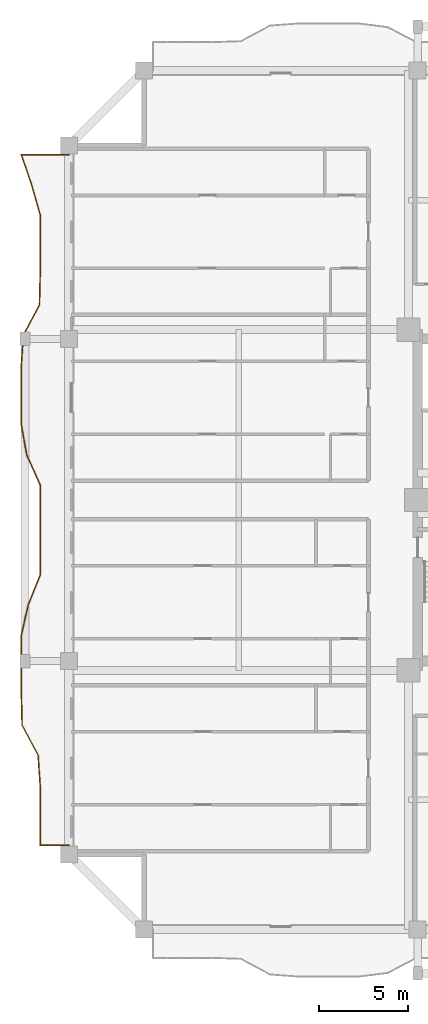
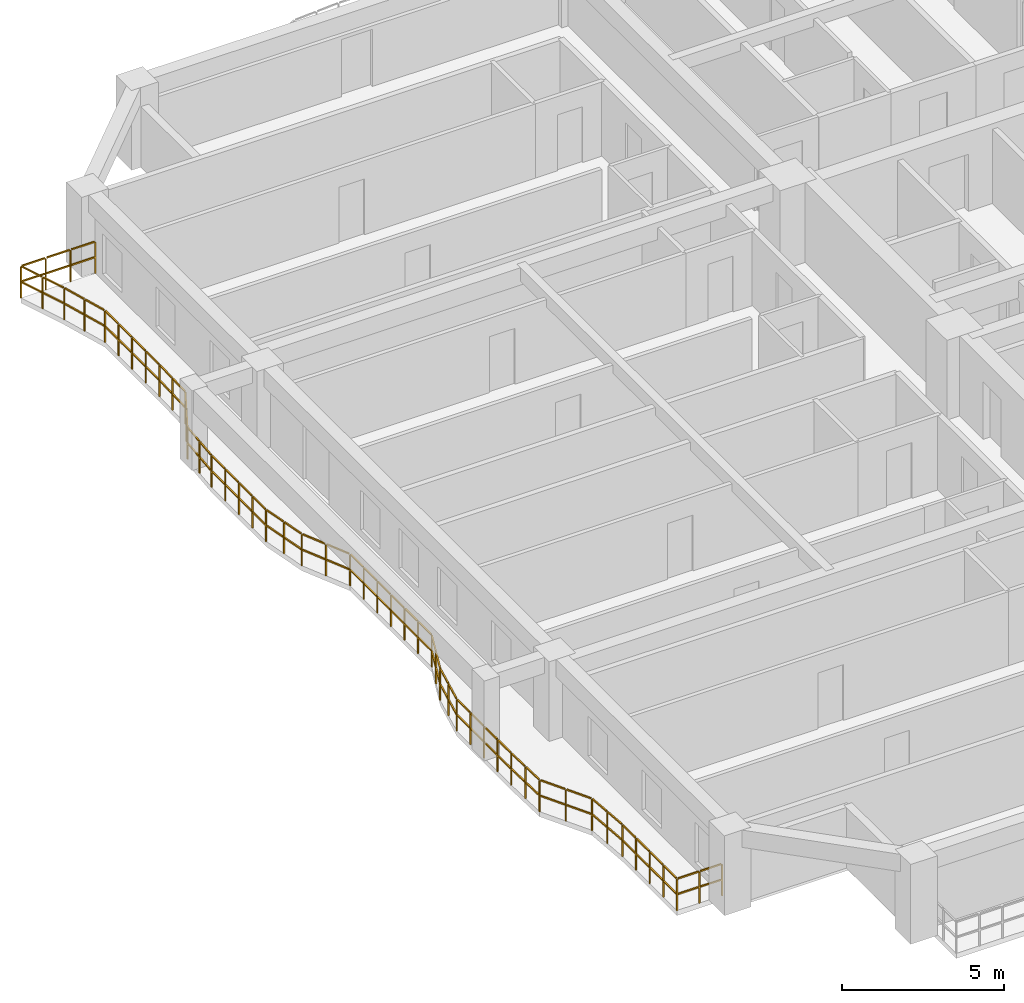
# One storey, part 10 of 13: 1 railing.
"""IFC4 building model written with IfcOpenShell, lengths in metres."""

from ifc_helpers import new_model, si_unit, direction, frame, origin, origin_2d, place, context, subcontext, project, spatial, rectangle, extrude, material, type_object, element, save


model = new_model("IFC4")

# Units and contexts
model_context = context("Model", 3, precision=1e-05, world=origin(), true_north=direction((0.0, 1.0)))
body_context = subcontext(model_context, "Body", "Model", "MODEL_VIEW")
ifc_project = project(units=[si_unit("LENGTHUNIT", "METRE"), si_unit("AREAUNIT", "SQUARE_METRE"), si_unit("VOLUMEUNIT", "CUBIC_METRE"), si_unit("PLANEANGLEUNIT", "RADIAN"), si_unit("MASSUNIT", "GRAM", prefix="KILO")], contexts=[model_context])

# Site, building, storey
site_placement = place(None, origin())
site = spatial("IfcSite", under=ifc_project, at=site_placement, CompositionType="ELEMENT")
building_placement = place(site_placement, origin())
building = spatial("IfcBuilding", under=site, at=building_placement, Name="Saelheon Loggia Tower", CompositionType="ELEMENT")
storey_placement = place(building_placement, frame((0.0, 0.0, 104.85009765625)))
storey = spatial("IfcBuildingStorey", under=building, at=storey_placement, Name="L33", CompositionType="ELEMENT", Elevation=104.85009765625)

# Railing
ifc_material = material(Name="Architectural Precast Concrete and Laminated Glass Guard", Category="concrete")
railing_type = type_object("IfcRailingType", Name="Guard_Loggia_RL_LOG", PredefinedType="BALUSTRADE", material=ifc_material)
railing_placement = place(storey_placement, frame((12.0, 46.300048828125, 0.0)))
element("IfcRailing", 1, at=railing_placement, inside=storey, type_object=railing_type, Name="L33 West Loggia Balustrade", PredefinedType="BALUSTRADE", context=body_context, shape_type="SweptSolid", body=[
    extrude(rectangle(XDim=0.048095703125, YDim=0.048095703125, at=origin_2d()), frame((-0.033203125, 0.0, 1.19580078125), z_axis=(-1.0, 0.0, 0.0), x_axis=(0.0, -1.0, 0.0)), (0.0, 0.0, 1.0), 0.81689453125),
    extrude(rectangle(XDim=0.048095703125, YDim=0.048095703125, at=origin_2d()), frame((-0.033203125, 0.0, 0.60986328125), z_axis=(-1.0, 0.0, 0.0), x_axis=(0.0, -1.0, 0.0)), (0.0, 0.0, 1.0), 0.81689453125),
    extrude(rectangle(XDim=0.048095703125, YDim=0.048095703125, at=origin_2d()), frame((-0.91650390625, 0.0, 1.19580078125), z_axis=(-1.0, 0.0, 0.0), x_axis=(0.0, -1.0, 0.0)), (0.0, 0.0, 1.0), 0.81689453125),
    extrude(rectangle(XDim=0.048095703125, YDim=0.048095703125, at=origin_2d()), frame((-0.91650390625, 0.0, 0.60986328125), z_axis=(-1.0, 0.0, 0.0), x_axis=(0.0, -1.0, 0.0)), (0.0, 0.0, 1.0), 0.81689453125),
    extrude(rectangle(XDim=0.048095703125, YDim=0.048095703125, at=origin_2d()), frame((-1.7998046875, 0.0, 1.19580078125), z_axis=(-1.0, 0.0, 0.0), x_axis=(0.0, -1.0, 0.0)), (0.0, 0.0, 1.0), 0.81689453125),
    extrude(rectangle(XDim=0.048095703125, YDim=0.048095703125, at=origin_2d()), frame((-1.7998046875, 0.0, 0.60986328125), z_axis=(-1.0, 0.0, 0.0), x_axis=(0.0, -1.0, 0.0)), (0.0, 0.0, 1.0), 0.81689453125),
    extrude(rectangle(XDim=0.048095703125, YDim=0.048095703125, at=origin_2d()), frame((-2.63916015625, -0.031494140625, 1.19580078125), z_axis=(0.321347076039, -0.946961486398, 0.0), x_axis=(0.946961486398, 0.321347076039, 0.0)), (0.0, 0.0, 1.0), 0.81982421875),
    extrude(rectangle(XDim=0.048095703125, YDim=0.048095703125, at=origin_2d()), frame((-2.63916015625, -0.031494140625, 0.60986328125), z_axis=(0.321347076039, -0.946961486398, 0.0), x_axis=(0.946961486398, 0.321347076039, 0.0)), (0.0, 0.0, 1.0), 0.81982421875),
    extrude(rectangle(XDim=0.048095703125, YDim=0.048095703125, at=origin_2d()), frame((-2.3544921875, -0.87060546875, 1.19580078125), z_axis=(0.321347076039, -0.946961486398, 0.0), x_axis=(0.946961486398, 0.321347076039, 0.0)), (0.0, 0.0, 1.0), 0.81982421875),
    extrude(rectangle(XDim=0.048095703125, YDim=0.048095703125, at=origin_2d()), frame((-2.3544921875, -0.87060546875, 0.60986328125), z_axis=(0.321347076039, -0.946961486398, 0.0), x_axis=(0.946961486398, 0.321347076039, 0.0)), (0.0, 0.0, 1.0), 0.81982421875),
    extrude(rectangle(XDim=0.048095703125, YDim=0.048095703125, at=origin_2d()), frame((-2.0712890625, -1.71044921875, 1.19580078125), z_axis=(0.275146022747, -0.961402447556, 0.0), x_axis=(0.961402447556, 0.275146022747, 0.0)), (0.0, 0.0, 1.0), 0.80615234375),
    extrude(rectangle(XDim=0.048095703125, YDim=0.048095703125, at=origin_2d()), frame((-2.0712890625, -1.71044921875, 0.60986328125), z_axis=(0.275146022747, -0.961402447556, 0.0), x_axis=(0.961402447556, 0.275146022747, 0.0)), (0.0, 0.0, 1.0), 0.80615234375),
    extrude(rectangle(XDim=0.048095703125, YDim=0.048095703125, at=origin_2d()), frame((-1.8310546875, -2.54931640625, 1.19580078125), z_axis=(0.275146022747, -0.961402447556, 0.0), x_axis=(0.961402447556, 0.275146022747, 0.0)), (0.0, 0.0, 1.0), 0.80615234375),
    extrude(rectangle(XDim=0.048095703125, YDim=0.048095703125, at=origin_2d()), frame((-1.8310546875, -2.54931640625, 0.60986328125), z_axis=(0.275146022747, -0.961402447556, 0.0), x_axis=(0.961402447556, 0.275146022747, 0.0)), (0.0, 0.0, 1.0), 0.80615234375),
    extrude(rectangle(XDim=0.048095703125, YDim=0.048095703125, at=origin_2d()), frame((-1.60009765625, -3.3896484375, 1.19580078125), z_axis=(0.0, -1.0, 0.0), x_axis=(1.0, 0.0, 0.0)), (0.0, 0.0, 1.0), 0.772705078125),
    extrude(rectangle(XDim=0.048095703125, YDim=0.048095703125, at=origin_2d()), frame((-1.60009765625, -3.3896484375, 0.60986328125), z_axis=(0.0, -1.0, 0.0), x_axis=(1.0, 0.0, 0.0)), (0.0, 0.0, 1.0), 0.772705078125),
    extrude(rectangle(XDim=0.048095703125, YDim=0.048095703125, at=origin_2d()), frame((-1.60009765625, -4.22900390625, 1.19580078125), z_axis=(0.0, -1.0, 0.0), x_axis=(1.0, 0.0, 0.0)), (0.0, 0.0, 1.0), 0.772705078125),
    extrude(rectangle(XDim=0.048095703125, YDim=0.048095703125, at=origin_2d()), frame((-1.60009765625, -4.22900390625, 0.60986328125), z_axis=(0.0, -1.0, 0.0), x_axis=(1.0, 0.0, 0.0)), (0.0, 0.0, 1.0), 0.772705078125),
    extrude(rectangle(XDim=0.048095703125, YDim=0.048095703125, at=origin_2d()), frame((-1.60009765625, -5.068115234375, 1.19580078125), z_axis=(0.0, -1.0, 0.0), x_axis=(1.0, 0.0, 0.0)), (0.0, 0.0, 1.0), 0.772705078125),
    extrude(rectangle(XDim=0.048095703125, YDim=0.048095703125, at=origin_2d()), frame((-1.60009765625, -5.068115234375, 0.60986328125), z_axis=(0.0, -1.0, 0.0), x_axis=(1.0, 0.0, 0.0)), (0.0, 0.0, 1.0), 0.772705078125),
    extrude(rectangle(XDim=0.048095703125, YDim=0.048095703125, at=origin_2d()), frame((-1.60009765625, -5.9072265625, 1.19580078125), z_axis=(0.0, -1.0, 0.0), x_axis=(1.0, 0.0, 0.0)), (0.0, 0.0, 1.0), 0.772705078125),
    extrude(rectangle(XDim=0.048095703125, YDim=0.048095703125, at=origin_2d()), frame((-1.60009765625, -5.9072265625, 0.60986328125), z_axis=(0.0, -1.0, 0.0), x_axis=(1.0, 0.0, 0.0)), (0.0, 0.0, 1.0), 0.772705078125),
    extrude(rectangle(XDim=0.048095703125, YDim=0.048095703125, at=origin_2d()), frame((-1.600830078125, -6.746337890625, 1.19580078125), z_axis=(-0.024723310515, -0.999694332242, 0.0), x_axis=(0.999694332242, -0.024723310515, 0.0)), (0.0, 0.0, 1.0), 0.77294921875),
    extrude(rectangle(XDim=0.048095703125, YDim=0.048095703125, at=origin_2d()), frame((-1.600830078125, -6.746337890625, 0.60986328125), z_axis=(-0.024723310515, -0.999694332242, 0.0), x_axis=(0.999694332242, -0.024723310515, 0.0)), (0.0, 0.0, 1.0), 0.77294921875),
    extrude(rectangle(XDim=0.048095703125, YDim=0.048095703125, at=origin_2d()), frame((-1.62158203125, -7.58544921875, 1.19580078125), z_axis=(-0.024723310515, -0.999694332242, 0.0), x_axis=(0.999694332242, -0.024723310515, 0.0)), (0.0, 0.0, 1.0), 0.77294921875),
    extrude(rectangle(XDim=0.048095703125, YDim=0.048095703125, at=origin_2d()), frame((-1.62158203125, -7.58544921875, 0.60986328125), z_axis=(-0.024723310515, -0.999694332242, 0.0), x_axis=(0.999694332242, -0.024723310515, 0.0)), (0.0, 0.0, 1.0), 0.77294921875),
    extrude(rectangle(XDim=0.048095703125, YDim=0.048095703125, at=origin_2d()), frame((-1.6572265625, -8.420654296875, 1.19580078125), z_axis=(-0.470275016821, -0.882519919636, 0.0), x_axis=(0.882519919636, -0.470275016821, 0.0)), (0.0, 0.0, 1.0), 0.88427734375),
    extrude(rectangle(XDim=0.048095703125, YDim=0.048095703125, at=origin_2d()), frame((-1.6572265625, -8.420654296875, 0.60986328125), z_axis=(-0.470275016821, -0.882519919636, 0.0), x_axis=(0.882519919636, -0.470275016821, 0.0)), (0.0, 0.0, 1.0), 0.88427734375),
    extrude(rectangle(XDim=0.048095703125, YDim=0.048095703125, at=origin_2d()), frame((-2.1044921875, -9.259765625, 1.19580078125), z_axis=(-0.470275016821, -0.882519919636, 0.0), x_axis=(0.882519919636, -0.470275016821, 0.0)), (0.0, 0.0, 1.0), 0.88427734375),
    extrude(rectangle(XDim=0.048095703125, YDim=0.048095703125, at=origin_2d()), frame((-2.1044921875, -9.259765625, 0.60986328125), z_axis=(-0.470275016821, -0.882519919636, 0.0), x_axis=(0.882519919636, -0.470275016821, 0.0)), (0.0, 0.0, 1.0), 0.88427734375),
    extrude(rectangle(XDim=0.048095703125, YDim=0.048095703125, at=origin_2d()), frame((-2.5380859375, -10.102783203125, 1.19580078125), z_axis=(-0.06778091462, -0.997700229334, 0.0), x_axis=(0.997700229334, -0.06778091462, 0.0)), (0.0, 0.0, 1.0), 0.774658203125),
    extrude(rectangle(XDim=0.048095703125, YDim=0.048095703125, at=origin_2d()), frame((-2.5380859375, -10.102783203125, 0.60986328125), z_axis=(-0.06778091462, -0.997700229334, 0.0), x_axis=(0.997700229334, -0.06778091462, 0.0)), (0.0, 0.0, 1.0), 0.774658203125),
    extrude(rectangle(XDim=0.048095703125, YDim=0.048095703125, at=origin_2d()), frame((-2.59521484375, -10.94189453125, 1.19580078125), z_axis=(-0.06778091462, -0.997700229334, 0.0), x_axis=(0.997700229334, -0.06778091462, 0.0)), (0.0, 0.0, 1.0), 0.774658203125),
    extrude(rectangle(XDim=0.048095703125, YDim=0.048095703125, at=origin_2d()), frame((-2.59521484375, -10.94189453125, 0.60986328125), z_axis=(-0.06778091462, -0.997700229334, 0.0), x_axis=(0.997700229334, -0.06778091462, 0.0)), (0.0, 0.0, 1.0), 0.774658203125),
    extrude(rectangle(XDim=0.048095703125, YDim=0.048095703125, at=origin_2d()), frame((-2.64990234375, -11.781005859375, 1.19580078125), z_axis=(0.0, -1.0, 0.0), x_axis=(1.0, 0.0, 0.0)), (0.0, 0.0, 1.0), 0.772705078125),
    extrude(rectangle(XDim=0.048095703125, YDim=0.048095703125, at=origin_2d()), frame((-2.64990234375, -11.781005859375, 0.60986328125), z_axis=(0.0, -1.0, 0.0), x_axis=(1.0, 0.0, 0.0)), (0.0, 0.0, 1.0), 0.772705078125),
    extrude(rectangle(XDim=0.048095703125, YDim=0.048095703125, at=origin_2d()), frame((-2.64990234375, -12.620361328125, 1.19580078125), z_axis=(0.0, -1.0, 0.0), x_axis=(1.0, 0.0, 0.0)), (0.0, 0.0, 1.0), 0.772705078125),
    extrude(rectangle(XDim=0.048095703125, YDim=0.048095703125, at=origin_2d()), frame((-2.64990234375, -12.620361328125, 0.60986328125), z_axis=(0.0, -1.0, 0.0), x_axis=(1.0, 0.0, 0.0)), (0.0, 0.0, 1.0), 0.772705078125),
    extrude(rectangle(XDim=0.048095703125, YDim=0.048095703125, at=origin_2d()), frame((-2.64990234375, -13.45947265625, 1.19580078125), z_axis=(0.0, -1.0, 0.0), x_axis=(1.0, 0.0, 0.0)), (0.0, 0.0, 1.0), 0.7724609375),
    extrude(rectangle(XDim=0.048095703125, YDim=0.048095703125, at=origin_2d()), frame((-2.64990234375, -13.45947265625, 0.60986328125), z_axis=(0.0, -1.0, 0.0), x_axis=(1.0, 0.0, 0.0)), (0.0, 0.0, 1.0), 0.7724609375),
    extrude(rectangle(XDim=0.048095703125, YDim=0.048095703125, at=origin_2d()), frame((-2.64990234375, -14.298583984375, 1.19580078125), z_axis=(0.0, -1.0, 0.0), x_axis=(1.0, 0.0, 0.0)), (0.0, 0.0, 1.0), 0.7724609375),
    extrude(rectangle(XDim=0.048095703125, YDim=0.048095703125, at=origin_2d()), frame((-2.64990234375, -14.298583984375, 0.60986328125), z_axis=(0.0, -1.0, 0.0), x_axis=(1.0, 0.0, 0.0)), (0.0, 0.0, 1.0), 0.7724609375),
    extrude(rectangle(XDim=0.048095703125, YDim=0.048095703125, at=origin_2d()), frame((-2.64404296875, -15.136962890625, 1.19580078125), z_axis=(0.176390201741, -0.984320322217, 0.0), x_axis=(0.984320322217, 0.176390201741, 0.0)), (0.0, 0.0, 1.0), 0.7861328125),
    extrude(rectangle(XDim=0.048095703125, YDim=0.048095703125, at=origin_2d()), frame((-2.64404296875, -15.136962890625, 0.60986328125), z_axis=(0.176390201741, -0.984320322217, 0.0), x_axis=(0.984320322217, 0.176390201741, 0.0)), (0.0, 0.0, 1.0), 0.7861328125),
    extrude(rectangle(XDim=0.048095703125, YDim=0.048095703125, at=origin_2d()), frame((-2.49365234375, -15.97607421875, 1.19580078125), z_axis=(0.176390201741, -0.984320322217, 0.0), x_axis=(0.984320322217, 0.176390201741, 0.0)), (0.0, 0.0, 1.0), 0.7861328125),
    extrude(rectangle(XDim=0.048095703125, YDim=0.048095703125, at=origin_2d()), frame((-2.49365234375, -15.97607421875, 0.60986328125), z_axis=(0.176390201741, -0.984320322217, 0.0), x_axis=(0.984320322217, 0.176390201741, 0.0)), (0.0, 0.0, 1.0), 0.7861328125),
    extrude(rectangle(XDim=0.048095703125, YDim=0.048095703125, at=origin_2d()), frame((-2.335693359375, -16.81298828125, 1.19580078125), z_axis=(0.407567762137, -0.913174966404, 0.0), x_axis=(0.913174966404, 0.407567762137, 0.0)), (0.0, 0.0, 1.0), 0.8525390625),
    extrude(rectangle(XDim=0.048095703125, YDim=0.048095703125, at=origin_2d()), frame((-2.335693359375, -16.81298828125, 0.60986328125), z_axis=(0.407567762137, -0.913174966404, 0.0), x_axis=(0.913174966404, 0.407567762137, 0.0)), (0.0, 0.0, 1.0), 0.8525390625),
    extrude(rectangle(XDim=0.048095703125, YDim=0.048095703125, at=origin_2d()), frame((-1.961181640625, -17.652099609375, 1.19580078125), z_axis=(0.407567762137, -0.913174966404, 0.0), x_axis=(0.913174966404, 0.407567762137, 0.0)), (0.0, 0.0, 1.0), 0.8525390625),
    extrude(rectangle(XDim=0.048095703125, YDim=0.048095703125, at=origin_2d()), frame((-1.961181640625, -17.652099609375, 0.60986328125), z_axis=(0.407567762137, -0.913174966404, 0.0), x_axis=(0.913174966404, 0.407567762137, 0.0)), (0.0, 0.0, 1.0), 0.8525390625),
    extrude(rectangle(XDim=0.048095703125, YDim=0.048095703125, at=origin_2d()), frame((-1.60009765625, -18.494140625, 1.19580078125), z_axis=(0.0, -1.0, 0.0), x_axis=(1.0, 0.0, 0.0)), (0.0, 0.0, 1.0), 0.772705078125),
    extrude(rectangle(XDim=0.048095703125, YDim=0.048095703125, at=origin_2d()), frame((-1.60009765625, -18.494140625, 0.60986328125), z_axis=(0.0, -1.0, 0.0), x_axis=(1.0, 0.0, 0.0)), (0.0, 0.0, 1.0), 0.772705078125),
    extrude(rectangle(XDim=0.048095703125, YDim=0.048095703125, at=origin_2d()), frame((-1.60009765625, -19.333251953125, 1.19580078125), z_axis=(0.0, -1.0, 0.0), x_axis=(1.0, 0.0, 0.0)), (0.0, 0.0, 1.0), 0.772705078125),
    extrude(rectangle(XDim=0.048095703125, YDim=0.048095703125, at=origin_2d()), frame((-1.60009765625, -19.333251953125, 0.60986328125), z_axis=(0.0, -1.0, 0.0), x_axis=(1.0, 0.0, 0.0)), (0.0, 0.0, 1.0), 0.772705078125),
    extrude(rectangle(XDim=0.048095703125, YDim=0.048095703125, at=origin_2d()), frame((-1.60009765625, -20.17236328125, 1.19580078125), z_axis=(0.0, -1.0, 0.0), x_axis=(1.0, 0.0, 0.0)), (0.0, 0.0, 1.0), 0.772705078125),
    extrude(rectangle(XDim=0.048095703125, YDim=0.048095703125, at=origin_2d()), frame((-1.60009765625, -20.17236328125, 0.60986328125), z_axis=(0.0, -1.0, 0.0), x_axis=(1.0, 0.0, 0.0)), (0.0, 0.0, 1.0), 0.772705078125),
    extrude(rectangle(XDim=0.048095703125, YDim=0.048095703125, at=origin_2d()), frame((-1.60009765625, -21.011474609375, 1.19580078125), z_axis=(0.0, -1.0, 0.0), x_axis=(1.0, 0.0, 0.0)), (0.0, 0.0, 1.0), 0.772705078125),
    extrude(rectangle(XDim=0.048095703125, YDim=0.048095703125, at=origin_2d()), frame((-1.60009765625, -21.011474609375, 0.60986328125), z_axis=(0.0, -1.0, 0.0), x_axis=(1.0, 0.0, 0.0)), (0.0, 0.0, 1.0), 0.772705078125),
    extrude(rectangle(XDim=0.048095703125, YDim=0.048095703125, at=origin_2d()), frame((-1.60009765625, -21.8505859375, 1.19580078125), z_axis=(0.0, -1.0, 0.0), x_axis=(1.0, 0.0, 0.0)), (0.0, 0.0, 1.0), 0.772705078125),
    extrude(rectangle(XDim=0.048095703125, YDim=0.048095703125, at=origin_2d()), frame((-1.60009765625, -21.8505859375, 0.60986328125), z_axis=(0.0, -1.0, 0.0), x_axis=(1.0, 0.0, 0.0)), (0.0, 0.0, 1.0), 0.772705078125),
    extrude(rectangle(XDim=0.048095703125, YDim=0.048095703125, at=origin_2d()), frame((-1.60009765625, -22.68994140625, 1.19580078125), z_axis=(0.0, -1.0, 0.0), x_axis=(1.0, 0.0, 0.0)), (0.0, 0.0, 1.0), 0.772705078125),
    extrude(rectangle(XDim=0.048095703125, YDim=0.048095703125, at=origin_2d()), frame((-1.60009765625, -22.68994140625, 0.60986328125), z_axis=(0.0, -1.0, 0.0), x_axis=(1.0, 0.0, 0.0)), (0.0, 0.0, 1.0), 0.772705078125),
    extrude(rectangle(XDim=0.048095703125, YDim=0.048095703125, at=origin_2d()), frame((-1.612548828125, -23.526611328125, 1.19580078125), z_axis=(-0.371483836575, -0.928439421375, 0.0), x_axis=(0.928439421375, -0.371483836575, 0.0)), (0.0, 0.0, 1.0), 0.837158203125),
    extrude(rectangle(XDim=0.048095703125, YDim=0.048095703125, at=origin_2d()), frame((-1.612548828125, -23.526611328125, 0.60986328125), z_axis=(-0.371483836575, -0.928439421375, 0.0), x_axis=(0.928439421375, -0.371483836575, 0.0)), (0.0, 0.0, 1.0), 0.837158203125),
    extrude(rectangle(XDim=0.048095703125, YDim=0.048095703125, at=origin_2d()), frame((-1.9482421875, -24.36572265625, 1.19580078125), z_axis=(-0.371483836575, -0.928439421375, 0.0), x_axis=(0.928439421375, -0.371483836575, 0.0)), (0.0, 0.0, 1.0), 0.837158203125),
    extrude(rectangle(XDim=0.048095703125, YDim=0.048095703125, at=origin_2d()), frame((-1.9482421875, -24.36572265625, 0.60986328125), z_axis=(-0.371483836575, -0.928439421375, 0.0), x_axis=(0.928439421375, -0.371483836575, 0.0)), (0.0, 0.0, 1.0), 0.837158203125),
    extrude(rectangle(XDim=0.048095703125, YDim=0.048095703125, at=origin_2d()), frame((-2.27880859375, -25.206298828125, 1.19580078125), z_axis=(-0.219934224099, -0.975514703667, 0.0), x_axis=(0.975514703667, -0.219934224099, 0.0)), (0.0, 0.0, 1.0), 0.7939453125),
    extrude(rectangle(XDim=0.048095703125, YDim=0.048095703125, at=origin_2d()), frame((-2.27880859375, -25.206298828125, 0.60986328125), z_axis=(-0.219934224099, -0.975514703667, 0.0), x_axis=(0.975514703667, -0.219934224099, 0.0)), (0.0, 0.0, 1.0), 0.7939453125),
    extrude(rectangle(XDim=0.048095703125, YDim=0.048095703125, at=origin_2d()), frame((-2.468017578125, -26.04541015625, 1.19580078125), z_axis=(-0.219934224099, -0.975514703667, 0.0), x_axis=(0.975514703667, -0.219934224099, 0.0)), (0.0, 0.0, 1.0), 0.7939453125),
    extrude(rectangle(XDim=0.048095703125, YDim=0.048095703125, at=origin_2d()), frame((-2.468017578125, -26.04541015625, 0.60986328125), z_axis=(-0.219934224099, -0.975514703667, 0.0), x_axis=(0.975514703667, -0.219934224099, 0.0)), (0.0, 0.0, 1.0), 0.7939453125),
    extrude(rectangle(XDim=0.048095703125, YDim=0.048095703125, at=origin_2d()), frame((-2.64990234375, -26.885498046875, 1.19580078125), z_axis=(0.0, -1.0, 0.0), x_axis=(1.0, 0.0, 0.0)), (0.0, 0.0, 1.0), 0.772705078125),
    extrude(rectangle(XDim=0.048095703125, YDim=0.048095703125, at=origin_2d()), frame((-2.64990234375, -26.885498046875, 0.60986328125), z_axis=(0.0, -1.0, 0.0), x_axis=(1.0, 0.0, 0.0)), (0.0, 0.0, 1.0), 0.772705078125),
    extrude(rectangle(XDim=0.048095703125, YDim=0.048095703125, at=origin_2d()), frame((-2.64990234375, -27.724609375, 1.19580078125), z_axis=(0.0, -1.0, 0.0), x_axis=(1.0, 0.0, 0.0)), (0.0, 0.0, 1.0), 0.772705078125),
    extrude(rectangle(XDim=0.048095703125, YDim=0.048095703125, at=origin_2d()), frame((-2.64990234375, -27.724609375, 0.60986328125), z_axis=(0.0, -1.0, 0.0), x_axis=(1.0, 0.0, 0.0)), (0.0, 0.0, 1.0), 0.772705078125),
    extrude(rectangle(XDim=0.048095703125, YDim=0.048095703125, at=origin_2d()), frame((-2.64990234375, -28.563720703125, 1.19580078125), z_axis=(0.0, -1.0, 0.0), x_axis=(1.0, 0.0, 0.0)), (0.0, 0.0, 1.0), 0.772705078125),
    extrude(rectangle(XDim=0.048095703125, YDim=0.048095703125, at=origin_2d()), frame((-2.64990234375, -28.563720703125, 0.60986328125), z_axis=(0.0, -1.0, 0.0), x_axis=(1.0, 0.0, 0.0)), (0.0, 0.0, 1.0), 0.772705078125),
    extrude(rectangle(XDim=0.048095703125, YDim=0.048095703125, at=origin_2d()), frame((-2.64990234375, -29.40283203125, 1.19580078125), z_axis=(0.0, -1.0, 0.0), x_axis=(1.0, 0.0, 0.0)), (0.0, 0.0, 1.0), 0.772705078125),
    extrude(rectangle(XDim=0.048095703125, YDim=0.048095703125, at=origin_2d()), frame((-2.64990234375, -29.40283203125, 0.60986328125), z_axis=(0.0, -1.0, 0.0), x_axis=(1.0, 0.0, 0.0)), (0.0, 0.0, 1.0), 0.772705078125),
    extrude(rectangle(XDim=0.048095703125, YDim=0.048095703125, at=origin_2d()), frame((-2.649169921875, -30.241943359375, 1.19580078125), z_axis=(0.023851228559, -0.999715518983, 0.0), x_axis=(0.999715518983, 0.023851228559, 0.0)), (0.0, 0.0, 1.0), 0.77294921875),
    extrude(rectangle(XDim=0.048095703125, YDim=0.048095703125, at=origin_2d()), frame((-2.649169921875, -30.241943359375, 0.60986328125), z_axis=(0.023851228559, -0.999715518983, 0.0), x_axis=(0.999715518983, 0.023851228559, 0.0)), (0.0, 0.0, 1.0), 0.77294921875),
    extrude(rectangle(XDim=0.048095703125, YDim=0.048095703125, at=origin_2d()), frame((-2.629150390625, -31.0810546875, 1.19580078125), z_axis=(0.023851228559, -0.999715518983, 0.0), x_axis=(0.999715518983, 0.023851228559, 0.0)), (0.0, 0.0, 1.0), 0.77294921875),
    extrude(rectangle(XDim=0.048095703125, YDim=0.048095703125, at=origin_2d()), frame((-2.629150390625, -31.0810546875, 0.60986328125), z_axis=(0.023851228559, -0.999715518983, 0.0), x_axis=(0.999715518983, 0.023851228559, 0.0)), (0.0, 0.0, 1.0), 0.77294921875),
    extrude(rectangle(XDim=0.048095703125, YDim=0.048095703125, at=origin_2d()), frame((-2.59423828125, -31.916259765625, 1.19580078125), z_axis=(0.4706748388, -0.882306747181, 0.0), x_axis=(0.882306747181, 0.4706748388, 0.0)), (0.0, 0.0, 1.0), 0.884521484375),
    extrude(rectangle(XDim=0.048095703125, YDim=0.048095703125, at=origin_2d()), frame((-2.59423828125, -31.916259765625, 0.60986328125), z_axis=(0.4706748388, -0.882306747181, 0.0), x_axis=(0.882306747181, 0.4706748388, 0.0)), (0.0, 0.0, 1.0), 0.884521484375),
    extrude(rectangle(XDim=0.048095703125, YDim=0.048095703125, at=origin_2d()), frame((-2.146484375, -32.75537109375, 1.19580078125), z_axis=(0.4706748388, -0.882306747181, 0.0), x_axis=(0.882306747181, 0.4706748388, 0.0)), (0.0, 0.0, 1.0), 0.884521484375),
    extrude(rectangle(XDim=0.048095703125, YDim=0.048095703125, at=origin_2d()), frame((-2.146484375, -32.75537109375, 0.60986328125), z_axis=(0.4706748388, -0.882306747181, 0.0), x_axis=(0.882306747181, 0.4706748388, 0.0)), (0.0, 0.0, 1.0), 0.884521484375),
    extrude(rectangle(XDim=0.048095703125, YDim=0.048095703125, at=origin_2d()), frame((-1.71240234375, -33.598388671875, 1.19580078125), z_axis=(0.068059999537, -0.997681229884, 0.0), x_axis=(0.997681229884, 0.068059999537, 0.0)), (0.0, 0.0, 1.0), 0.774658203125),
    extrude(rectangle(XDim=0.048095703125, YDim=0.048095703125, at=origin_2d()), frame((-1.71240234375, -33.598388671875, 0.60986328125), z_axis=(0.068059999537, -0.997681229884, 0.0), x_axis=(0.997681229884, 0.068059999537, 0.0)), (0.0, 0.0, 1.0), 0.774658203125),
    extrude(rectangle(XDim=0.048095703125, YDim=0.048095703125, at=origin_2d()), frame((-1.655029296875, -34.4375, 1.19580078125), z_axis=(0.068059999537, -0.997681229884, 0.0), x_axis=(0.997681229884, 0.068059999537, 0.0)), (0.0, 0.0, 1.0), 0.774658203125),
    extrude(rectangle(XDim=0.048095703125, YDim=0.048095703125, at=origin_2d()), frame((-1.655029296875, -34.4375, 0.60986328125), z_axis=(0.068059999537, -0.997681229884, 0.0), x_axis=(0.997681229884, 0.068059999537, 0.0)), (0.0, 0.0, 1.0), 0.774658203125),
    extrude(rectangle(XDim=0.048095703125, YDim=0.048095703125, at=origin_2d()), frame((-1.60009765625, -35.27685546875, 1.19580078125), z_axis=(0.0, -1.0, 0.0), x_axis=(1.0, 0.0, 0.0)), (0.0, 0.0, 1.0), 0.7724609375),
    extrude(rectangle(XDim=0.048095703125, YDim=0.048095703125, at=origin_2d()), frame((-1.60009765625, -35.27685546875, 0.60986328125), z_axis=(0.0, -1.0, 0.0), x_axis=(1.0, 0.0, 0.0)), (0.0, 0.0, 1.0), 0.7724609375),
    extrude(rectangle(XDim=0.048095703125, YDim=0.048095703125, at=origin_2d()), frame((-1.60009765625, -36.115966796875, 1.19580078125), z_axis=(0.0, -1.0, 0.0), x_axis=(1.0, 0.0, 0.0)), (0.0, 0.0, 1.0), 0.7724609375),
    extrude(rectangle(XDim=0.048095703125, YDim=0.048095703125, at=origin_2d()), frame((-1.60009765625, -36.115966796875, 0.60986328125), z_axis=(0.0, -1.0, 0.0), x_axis=(1.0, 0.0, 0.0)), (0.0, 0.0, 1.0), 0.7724609375),
    extrude(rectangle(XDim=0.048095703125, YDim=0.048095703125, at=origin_2d()), frame((-1.60009765625, -36.954833984375, 1.19580078125), z_axis=(0.0, -1.0, 0.0), x_axis=(1.0, 0.0, 0.0)), (0.0, 0.0, 1.0), 0.772705078125),
    extrude(rectangle(XDim=0.048095703125, YDim=0.048095703125, at=origin_2d()), frame((-1.60009765625, -36.954833984375, 0.60986328125), z_axis=(0.0, -1.0, 0.0), x_axis=(1.0, 0.0, 0.0)), (0.0, 0.0, 1.0), 0.772705078125),
    extrude(rectangle(XDim=0.048095703125, YDim=0.048095703125, at=origin_2d()), frame((-1.60009765625, -37.794189453125, 1.19580078125), z_axis=(0.0, -1.0, 0.0), x_axis=(1.0, 0.0, 0.0)), (0.0, 0.0, 1.0), 0.772705078125),
    extrude(rectangle(XDim=0.048095703125, YDim=0.048095703125, at=origin_2d()), frame((-1.60009765625, -37.794189453125, 0.60986328125), z_axis=(0.0, -1.0, 0.0), x_axis=(1.0, 0.0, 0.0)), (0.0, 0.0, 1.0), 0.772705078125),
    extrude(rectangle(XDim=0.048095703125, YDim=0.048095703125, at=origin_2d()), frame((-1.56689453125, -38.60009765625, 1.19580078125), z_axis=(1.0, 0.0, 0.0), x_axis=(0.0, 1.0, 0.0)), (0.0, 0.0, 1.0), 0.733642578125),
    extrude(rectangle(XDim=0.048095703125, YDim=0.048095703125, at=origin_2d()), frame((-1.56689453125, -38.60009765625, 0.60986328125), z_axis=(1.0, 0.0, 0.0), x_axis=(0.0, 1.0, 0.0)), (0.0, 0.0, 1.0), 0.733642578125),
    extrude(rectangle(XDim=0.048095703125, YDim=0.048095703125, at=origin_2d()), frame((-0.766845703125, -38.60009765625, 1.19580078125), z_axis=(1.0, 0.0, 0.0), x_axis=(0.0, 1.0, 0.0)), (0.0, 0.0, 1.0), 0.733642578125),
    extrude(rectangle(XDim=0.048095703125, YDim=0.048095703125, at=origin_2d()), frame((-0.766845703125, -38.60009765625, 0.60986328125), z_axis=(1.0, 0.0, 0.0), x_axis=(0.0, 1.0, 0.0)), (0.0, 0.0, 1.0), 0.733642578125),
    extrude(rectangle(XDim=0.0419921875, YDim=0.0419921875, at=origin_2d()), origin(), (0.0, 0.0, 1.0), 1.16796875),
    extrude(rectangle(XDim=0.0419921875, YDim=0.0419921875, at=origin_2d()), frame((-0.88330078125, 0.0, 0.0)), (0.0, 0.0, 1.0), 1.16796875),
    extrude(rectangle(XDim=0.0419921875, YDim=0.0419921875, at=origin_2d()), frame((-1.7666015625, 0.0, 0.0)), (0.0, 0.0, 1.0), 1.16796875),
    extrude(rectangle(XDim=0.0419921875, YDim=0.0419921875, at=origin_2d()), frame((-2.64990234375, 0.0, 0.0)), (0.0, 0.0, 1.0), 1.16796875),
    extrude(rectangle(XDim=0.0419921875, YDim=0.0419921875, at=origin_2d()), frame((-2.365234375, -0.83935546875, 0.0)), (0.0, 0.0, 1.0), 1.16796875),
    extrude(rectangle(XDim=0.0419921875, YDim=0.0419921875, at=origin_2d()), frame((-2.080322265625, -1.678466796875, 0.0)), (0.0, 0.0, 1.0), 1.16796875),
    extrude(rectangle(XDim=0.0419921875, YDim=0.0419921875, at=origin_2d()), frame((-1.84033203125, -2.517578125, 0.0)), (0.0, 0.0, 1.0), 1.16796875),
    extrude(rectangle(XDim=0.0419921875, YDim=0.0419921875, at=origin_2d()), frame((-1.60009765625, -3.3564453125, 0.0)), (0.0, 0.0, 1.0), 1.16796875),
    extrude(rectangle(XDim=0.0419921875, YDim=0.0419921875, at=origin_2d()), frame((-1.60009765625, -4.19580078125, 0.0)), (0.0, 0.0, 1.0), 1.16796875),
    extrude(rectangle(XDim=0.0419921875, YDim=0.0419921875, at=origin_2d()), frame((-1.60009765625, -5.034912109375, 0.0)), (0.0, 0.0, 1.0), 1.16796875),
    extrude(rectangle(XDim=0.0419921875, YDim=0.0419921875, at=origin_2d()), frame((-1.60009765625, -5.8740234375, 0.0)), (0.0, 0.0, 1.0), 1.16796875),
    extrude(rectangle(XDim=0.0419921875, YDim=0.0419921875, at=origin_2d()), frame((-1.60009765625, -6.713134765625, 0.0)), (0.0, 0.0, 1.0), 1.16796875),
    extrude(rectangle(XDim=0.0419921875, YDim=0.0419921875, at=origin_2d()), frame((-1.620849609375, -7.55224609375, 0.0)), (0.0, 0.0, 1.0), 1.16796875),
    extrude(rectangle(XDim=0.0419921875, YDim=0.0419921875, at=origin_2d()), frame((-1.6416015625, -8.391357421875, 0.0)), (0.0, 0.0, 1.0), 1.16796875),
    extrude(rectangle(XDim=0.0419921875, YDim=0.0419921875, at=origin_2d()), frame((-2.0888671875, -9.23046875, 0.0)), (0.0, 0.0, 1.0), 1.16796875),
    extrude(rectangle(XDim=0.0419921875, YDim=0.0419921875, at=origin_2d()), frame((-2.535888671875, -10.069580078125, 0.0)), (0.0, 0.0, 1.0), 1.16796875),
    extrude(rectangle(XDim=0.0419921875, YDim=0.0419921875, at=origin_2d()), frame((-2.5927734375, -10.90869140625, 0.0)), (0.0, 0.0, 1.0), 1.16796875),
    extrude(rectangle(XDim=0.0419921875, YDim=0.0419921875, at=origin_2d()), frame((-2.64990234375, -11.747802734375, 0.0)), (0.0, 0.0, 1.0), 1.16796875),
    extrude(rectangle(XDim=0.0419921875, YDim=0.0419921875, at=origin_2d()), frame((-2.64990234375, -12.5869140625, 0.0)), (0.0, 0.0, 1.0), 1.16796875),
    extrude(rectangle(XDim=0.0419921875, YDim=0.0419921875, at=origin_2d()), frame((-2.64990234375, -13.42626953125, 0.0)), (0.0, 0.0, 1.0), 1.16796875),
    extrude(rectangle(XDim=0.0419921875, YDim=0.0419921875, at=origin_2d()), frame((-2.64990234375, -14.26513671875, 0.0)), (0.0, 0.0, 1.0), 1.16796875),
    extrude(rectangle(XDim=0.0419921875, YDim=0.0419921875, at=origin_2d()), frame((-2.64990234375, -15.104248046875, 0.0)), (0.0, 0.0, 1.0), 1.16796875),
    extrude(rectangle(XDim=0.0419921875, YDim=0.0419921875, at=origin_2d()), frame((-2.49951171875, -15.943359375, 0.0)), (0.0, 0.0, 1.0), 1.16796875),
    extrude(rectangle(XDim=0.0419921875, YDim=0.0419921875, at=origin_2d()), frame((-2.34912109375, -16.78271484375, 0.0)), (0.0, 0.0, 1.0), 1.16796875),
    extrude(rectangle(XDim=0.0419921875, YDim=0.0419921875, at=origin_2d()), frame((-1.974609375, -17.621826171875, 0.0)), (0.0, 0.0, 1.0), 1.16796875),
    extrude(rectangle(XDim=0.0419921875, YDim=0.0419921875, at=origin_2d()), frame((-1.60009765625, -18.4609375, 0.0)), (0.0, 0.0, 1.0), 1.16796875),
    extrude(rectangle(XDim=0.0419921875, YDim=0.0419921875, at=origin_2d()), frame((-1.60009765625, -19.300048828125, 0.0)), (0.0, 0.0, 1.0), 1.16796875),
    extrude(rectangle(XDim=0.0419921875, YDim=0.0419921875, at=origin_2d()), frame((-1.60009765625, -20.13916015625, 0.0)), (0.0, 0.0, 1.0), 1.16796875),
    extrude(rectangle(XDim=0.0419921875, YDim=0.0419921875, at=origin_2d()), frame((-1.60009765625, -20.978271484375, 0.0)), (0.0, 0.0, 1.0), 1.16796875),
    extrude(rectangle(XDim=0.0419921875, YDim=0.0419921875, at=origin_2d()), frame((-1.60009765625, -21.8173828125, 0.0)), (0.0, 0.0, 1.0), 1.16796875),
    extrude(rectangle(XDim=0.0419921875, YDim=0.0419921875, at=origin_2d()), frame((-1.60009765625, -22.65673828125, 0.0)), (0.0, 0.0, 1.0), 1.16796875),
    extrude(rectangle(XDim=0.0419921875, YDim=0.0419921875, at=origin_2d()), frame((-1.60009765625, -23.495849609375, 0.0)), (0.0, 0.0, 1.0), 1.16796875),
    extrude(rectangle(XDim=0.0419921875, YDim=0.0419921875, at=origin_2d()), frame((-1.935791015625, -24.3349609375, 0.0)), (0.0, 0.0, 1.0), 1.16796875),
    extrude(rectangle(XDim=0.0419921875, YDim=0.0419921875, at=origin_2d()), frame((-2.271484375, -25.173828125, 0.0)), (0.0, 0.0, 1.0), 1.16796875),
    extrude(rectangle(XDim=0.0419921875, YDim=0.0419921875, at=origin_2d()), frame((-2.460693359375, -26.01318359375, 0.0)), (0.0, 0.0, 1.0), 1.16796875),
    extrude(rectangle(XDim=0.0419921875, YDim=0.0419921875, at=origin_2d()), frame((-2.64990234375, -26.852294921875, 0.0)), (0.0, 0.0, 1.0), 1.16796875),
    extrude(rectangle(XDim=0.0419921875, YDim=0.0419921875, at=origin_2d()), frame((-2.64990234375, -27.69140625, 0.0)), (0.0, 0.0, 1.0), 1.16796875),
    extrude(rectangle(XDim=0.0419921875, YDim=0.0419921875, at=origin_2d()), frame((-2.64990234375, -28.530517578125, 0.0)), (0.0, 0.0, 1.0), 1.16796875),
    extrude(rectangle(XDim=0.0419921875, YDim=0.0419921875, at=origin_2d()), frame((-2.64990234375, -29.36962890625, 0.0)), (0.0, 0.0, 1.0), 1.16796875),
    extrude(rectangle(XDim=0.0419921875, YDim=0.0419921875, at=origin_2d()), frame((-2.64990234375, -30.208740234375, 0.0)), (0.0, 0.0, 1.0), 1.16796875),
    extrude(rectangle(XDim=0.0419921875, YDim=0.0419921875, at=origin_2d()), frame((-2.6298828125, -31.0478515625, 0.0)), (0.0, 0.0, 1.0), 1.16796875),
    extrude(rectangle(XDim=0.0419921875, YDim=0.0419921875, at=origin_2d()), frame((-2.60986328125, -31.886962890625, 0.0)), (0.0, 0.0, 1.0), 1.16796875),
    extrude(rectangle(XDim=0.0419921875, YDim=0.0419921875, at=origin_2d()), frame((-2.162109375, -32.72607421875, 0.0)), (0.0, 0.0, 1.0), 1.16796875),
    extrude(rectangle(XDim=0.0419921875, YDim=0.0419921875, at=origin_2d()), frame((-1.714599609375, -33.565185546875, 0.0)), (0.0, 0.0, 1.0), 1.16796875),
    extrude(rectangle(XDim=0.0419921875, YDim=0.0419921875, at=origin_2d()), frame((-1.6572265625, -34.404296875, 0.0)), (0.0, 0.0, 1.0), 1.16796875),
    extrude(rectangle(XDim=0.0419921875, YDim=0.0419921875, at=origin_2d()), frame((-1.60009765625, -35.24365234375, 0.0)), (0.0, 0.0, 1.0), 1.16796875),
    extrude(rectangle(XDim=0.0419921875, YDim=0.0419921875, at=origin_2d()), frame((-1.60009765625, -36.08251953125, 0.0)), (0.0, 0.0, 1.0), 1.16796875),
    extrude(rectangle(XDim=0.0419921875, YDim=0.0419921875, at=origin_2d()), frame((-1.60009765625, -36.921630859375, 0.0)), (0.0, 0.0, 1.0), 1.16796875),
    extrude(rectangle(XDim=0.0419921875, YDim=0.0419921875, at=origin_2d()), frame((-1.60009765625, -37.7607421875, 0.0)), (0.0, 0.0, 1.0), 1.16796875),
    extrude(rectangle(XDim=0.0419921875, YDim=0.0419921875, at=origin_2d()), frame((-1.60009765625, -38.60009765625, 0.0)), (0.0, 0.0, 1.0), 1.16796875),
    extrude(rectangle(XDim=0.0419921875, YDim=0.0419921875, at=origin_2d()), frame((-0.800048828125, -38.60009765625, 0.0)), (0.0, 0.0, 1.0), 1.16796875),
    extrude(rectangle(XDim=0.0419921875, YDim=0.0419921875, at=origin_2d()), frame((0.0, -38.60009765625, 0.0)), (0.0, 0.0, 1.0), 1.16796875),
])

save(model, "model.ifc")
